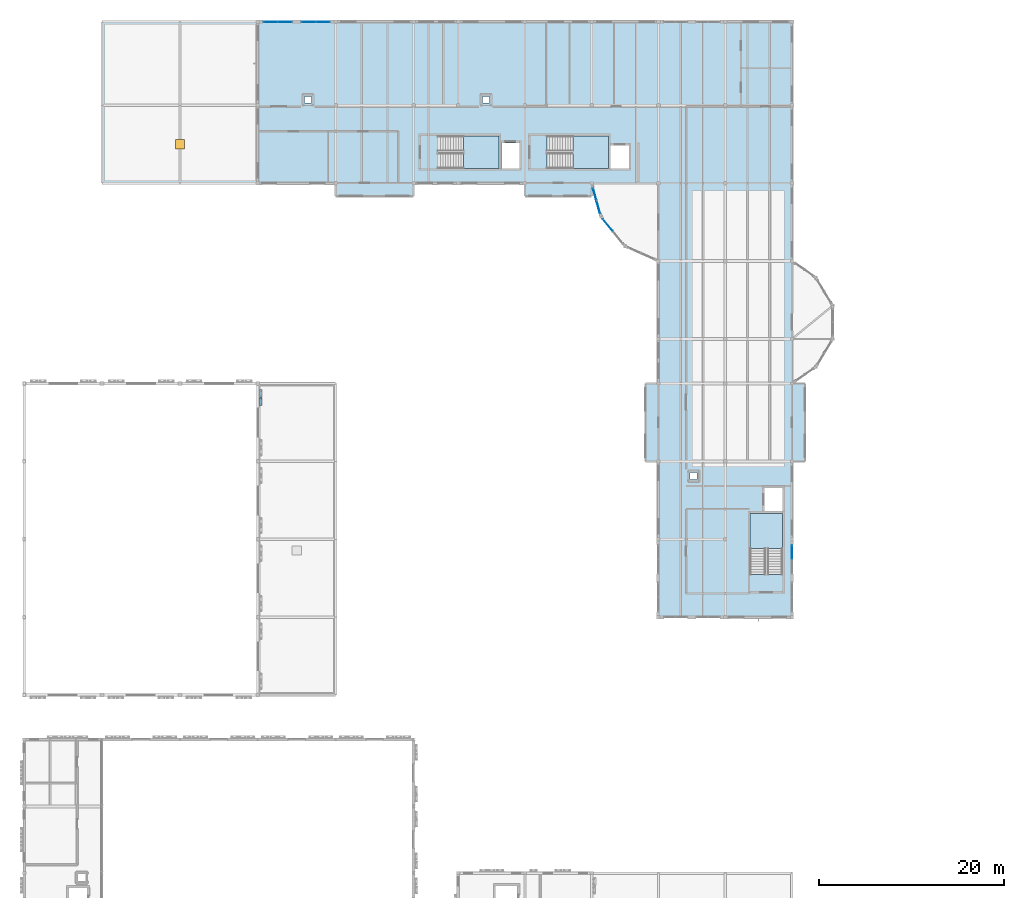
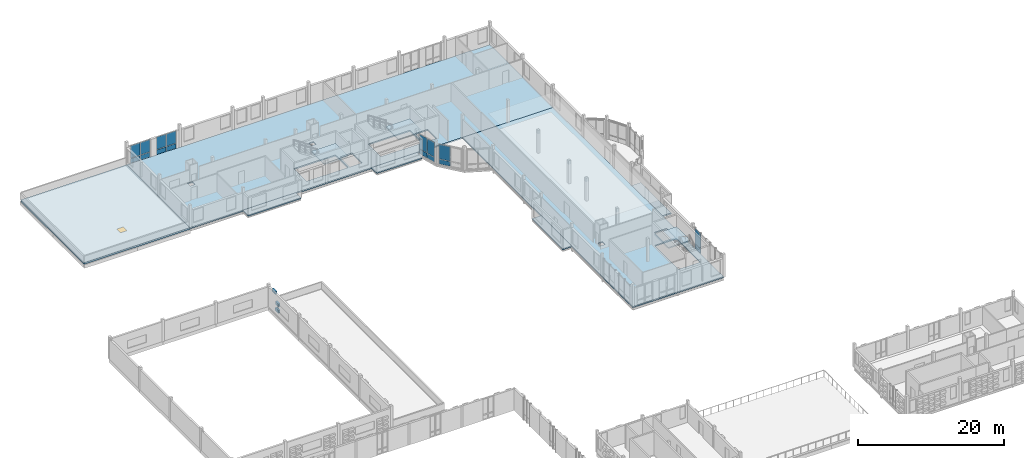
# One storey, part 25 of 57: 19 plates, 10 slabs, 1 door, 1 opening, 8 elements without a shape of their own.
"""IFC4 building model written with IfcOpenShell, lengths in metres."""

from ifc_helpers import new_model, si_unit, direction, frame, origin, origin_2d, place, context, subcontext, project, spatial, polyline, rectangle, outline, extrude, material, layer, layer_set, type_object, element, fill, aggregate, save


model = new_model("IFC4")

# Units and contexts
model_context = context("Model", 3, precision=1e-05, world=origin(), true_north=direction((0.0, 1.0)))
body_context = subcontext(model_context, "Body", "Model", "MODEL_VIEW")
ifc_project = project(units=[si_unit("LENGTHUNIT", "METRE"), si_unit("AREAUNIT", "SQUARE_METRE"), si_unit("VOLUMEUNIT", "CUBIC_METRE"), si_unit("PLANEANGLEUNIT", "RADIAN"), si_unit("MASSUNIT", "GRAM", prefix="KILO")], contexts=[model_context])

# Site, building, storey
site_placement = place(None, origin())
site = spatial("IfcSite", under=ifc_project, at=site_placement, CompositionType="ELEMENT")
building_placement = place(site_placement, origin())
building = spatial("IfcBuilding", under=site, at=building_placement, Name="Kahlenmark Community Centre", CompositionType="ELEMENT")
storey_placement = place(building_placement, frame((0.0, 0.0, 13.800048828125)))
storey = spatial("IfcBuildingStorey", under=building, at=storey_placement, Name="L03", CompositionType="ELEMENT", Elevation=13.800048828125)

# Curtain wall, plates
ifc_material_1 = material(Name="Anodised aluminium unitised curtain wall", Category="aluminium")
curtain_wall_type_1 = type_object("IfcCurtainWallType", Name="CWT-UNIT-290X337", PredefinedType="USERDEFINED", material=ifc_material_1)
curtain_wall_1_placement = place(storey_placement, origin())
curtain_wall_1 = element("IfcCurtainWall", 1, at=curtain_wall_1_placement, inside=storey, type_object=curtain_wall_type_1, Name="Unitised curtain wall CW-182", ObjectType="UNITISED CURTAIN WALL", PredefinedType="USERDEFINED")
ifc_material_2 = material(Name="Triple low-e solar-control glass unit", Category="glass")
ifc_layer_1 = layer(ifc_material_2, 0.0439453125)
ifc_layer_set_1 = layer_set([ifc_layer_1], Name="Triple low-e solar-control glass unit")
plate_type_1 = type_object("IfcPlateType", Name="PLT-CW-GLZ-1368X2440", PredefinedType="CURTAIN_PANEL", material=ifc_layer_set_1)
plate_1_placement = place(storey_placement, frame((65.527587890625, 96.420654296875, 0.889892578125), z_axis=(0.0, 0.0, 1.0), x_axis=(0.26765376878, -0.963515158188, 0.0)))
plate_1 = element("IfcPlate", 2, at=plate_1_placement, type_object=plate_type_1, Name="CW-182 glazed panel 1", PredefinedType="CURTAIN_PANEL", context=body_context, shape_type="SweptSolid", body=[
    extrude(rectangle(XDim=1.3681640625, YDim=0.0439453125, at=origin_2d()), origin(), (0.0, 0.0, 1.0), 2.43994140625),
])
plate_2_placement = place(storey_placement, frame((65.915283203125, 95.025146484375, 0.889892578125), z_axis=(0.0, 0.0, 1.0), x_axis=(0.26765376878, -0.963515158188, 0.0)))
plate_2 = element("IfcPlate", 3, at=plate_2_placement, type_object=plate_type_1, Name="CW-182 glazed panel 2", PredefinedType="CURTAIN_PANEL", context=body_context, shape_type="SweptSolid", body=[
    extrude(rectangle(XDim=1.3681640625, YDim=0.0439453125, at=origin_2d()), origin(), (0.0, 0.0, 1.0), 2.43994140625),
])

curtain_wall_type_2 = type_object("IfcCurtainWallType", Name="CWT-UNIT-314X301", PredefinedType="USERDEFINED", material=ifc_material_1)
curtain_wall_2_placement = place(storey_placement, origin())
curtain_wall_2 = element("IfcCurtainWall", 4, at=curtain_wall_2_placement, inside=storey, type_object=curtain_wall_type_2, Name="Unitised curtain wall CW-119", ObjectType="UNITISED CURTAIN WALL", PredefinedType="USERDEFINED")
ifc_layer_2 = layer(ifc_material_2, 0.0439453125)
ifc_layer_set_2 = layer_set([ifc_layer_2], Name="Triple low-e solar-control glass unit")
plate_type_2 = type_object("IfcPlateType", Name="PLT-CW-GLZ-1490X2080", PredefinedType="CURTAIN_PANEL", material=ifc_layer_set_2)
plate_3_placement = place(storey_placement, frame((36.235107421875, 115.0, 0.889892578125), z_axis=(0.0, 0.0, 1.0), x_axis=(-1.0, 0.0, 0.0)))
plate_3 = element("IfcPlate", 5, at=plate_3_placement, type_object=plate_type_2, Name="CW-119 glazed panel 1", PredefinedType="CURTAIN_PANEL", context=body_context, shape_type="SweptSolid", body=[
    extrude(rectangle(XDim=1.489990234375, YDim=0.0439453125, at=origin_2d()), origin(), (0.0, 0.0, 1.0), 2.080078125),
])
plate_4_placement = place(storey_placement, frame((34.6650390625, 115.0, 0.889892578125), z_axis=(0.0, 0.0, 1.0), x_axis=(-1.0, 0.0, 0.0)))
plate_4 = element("IfcPlate", 6, at=plate_4_placement, type_object=plate_type_2, Name="CW-119 glazed panel 2", PredefinedType="CURTAIN_PANEL", context=body_context, shape_type="SweptSolid", body=[
    extrude(rectangle(XDim=1.489990234375, YDim=0.0439453125, at=origin_2d()), origin(), (0.0, 0.0, 1.0), 2.080078125),
])

curtain_wall_3_placement = place(storey_placement, origin())
curtain_wall_3 = element("IfcCurtainWall", 7, at=curtain_wall_3_placement, inside=storey, type_object=curtain_wall_type_2, Name="Unitised curtain wall CW-120", ObjectType="UNITISED CURTAIN WALL", PredefinedType="USERDEFINED")
plate_5_placement = place(storey_placement, frame((32.135009765625, 115.0, 0.889892578125), z_axis=(0.0, 0.0, 1.0), x_axis=(-1.0, 0.0, 0.0)))
plate_5 = element("IfcPlate", 8, at=plate_5_placement, type_object=plate_type_2, Name="CW-120 glazed panel 1", PredefinedType="CURTAIN_PANEL", context=body_context, shape_type="SweptSolid", body=[
    extrude(rectangle(XDim=1.489990234375, YDim=0.0439453125, at=origin_2d()), origin(), (0.0, 0.0, 1.0), 2.080078125),
])
plate_6_placement = place(storey_placement, frame((30.56494140625, 115.0, 0.889892578125), z_axis=(0.0, 0.0, 1.0), x_axis=(-1.0, 0.0, 0.0)))
plate_6 = element("IfcPlate", 9, at=plate_6_placement, type_object=plate_type_2, Name="CW-120 glazed panel 2", PredefinedType="CURTAIN_PANEL", context=body_context, shape_type="SweptSolid", body=[
    extrude(rectangle(XDim=1.489990234375, YDim=0.0439453125, at=origin_2d()), origin(), (0.0, 0.0, 1.0), 2.080078125),
])

# Curtain wall, plate
curtain_wall_type_3 = type_object("IfcCurtainWallType", Name="CWT-UNIT-314X339", PredefinedType="USERDEFINED", material=ifc_material_1)
curtain_wall_4_placement = place(storey_placement, origin())
curtain_wall_4 = element("IfcCurtainWall", 10, at=curtain_wall_4_placement, inside=storey, type_object=curtain_wall_type_3, Name="Unitised curtain wall CW-128", ObjectType="UNITISED CURTAIN WALL", PredefinedType="USERDEFINED")
ifc_layer_3 = layer(ifc_material_2, 0.0439453125)
ifc_layer_set_3 = layer_set([ifc_layer_3], Name="Triple low-e solar-control glass unit")
plate_type_3 = type_object("IfcPlateType", Name="PLT-CW-GLZ-1490X2460", PredefinedType="CURTAIN_PANEL", material=ifc_layer_set_3)
plate_7_placement = place(storey_placement, frame((86.800048828125, 57.8349609375, 0.889892578125), z_axis=(0.0, 0.0, 1.0), x_axis=(0.0, 1.0, 0.0)))
plate_7 = element("IfcPlate", 11, at=plate_7_placement, type_object=plate_type_3, Name="CW-128 glazed panel 2", PredefinedType="CURTAIN_PANEL", context=body_context, shape_type="SweptSolid", body=[
    extrude(rectangle(XDim=1.489990234375, YDim=0.0439453125, at=origin_2d()), origin(), (0.0, 0.0, 1.0), 2.4599609375),
])

curtain_wall_type_4 = type_object("IfcCurtainWallType", Name="CWT-UNIT-344X337", PredefinedType="USERDEFINED", material=ifc_material_1)
curtain_wall_5_placement = place(storey_placement, origin())
curtain_wall_5 = element("IfcCurtainWall", 12, at=curtain_wall_5_placement, inside=storey, type_object=curtain_wall_type_4, Name="Unitised curtain wall CW-183", ObjectType="UNITISED CURTAIN WALL", PredefinedType="USERDEFINED")
ifc_layer_4 = layer(ifc_material_2, 0.0439453125)
ifc_layer_set_4 = layer_set([ifc_layer_4], Name="Triple low-e solar-control glass unit")
plate_type_4 = type_object("IfcPlateType", Name="PLT-CW-GLZ-1642X2440", PredefinedType="CURTAIN_PANEL", material=ifc_layer_set_4)
plate_8_placement = place(storey_placement, frame((66.957275390625, 93.068115234375, 0.889892578125), z_axis=(0.0, 0.0, 1.0), x_axis=(0.63059860029, -0.776109145231, 0.0)))
plate_8 = element("IfcPlate", 13, at=plate_8_placement, type_object=plate_type_4, Name="CW-183 glazed panel 1", PredefinedType="CURTAIN_PANEL", context=body_context, shape_type="SweptSolid", body=[
    extrude(rectangle(XDim=1.6416015625, YDim=0.0439453125, at=origin_2d()), origin(), (0.0, 0.0, 1.0), 2.43994140625),
])

# Plate
ifc_material_3 = material(Name="Warm terracotta insulated spandrel cassette", Category="masonry")
ifc_layer_5 = layer(ifc_material_3, 0.06005859375)
ifc_layer_set_5 = layer_set([ifc_layer_5], Name="Warm terracotta insulated spandrel cassette")
plate_type_5 = type_object("IfcPlateType", Name="PLT-CW-SPD-1368X770", PredefinedType="CURTAIN_PANEL", material=ifc_layer_set_5)
plate_9_placement = place(storey_placement, frame((65.527587890625, 96.420654296875, 0.0400390625), z_axis=(0.0, 0.0, 1.0), x_axis=(0.26765376878, -0.963515158188, 0.0)))
plate_9 = element("IfcPlate", 14, at=plate_9_placement, type_object=plate_type_5, Name="CW-182 spandrel 1", PredefinedType="CURTAIN_PANEL", context=body_context, shape_type="SweptSolid", body=[
    extrude(rectangle(XDim=1.3681640625, YDim=0.06005859375, at=origin_2d()), origin(), (0.0, 0.0, 1.0), 0.77001953125),
])

plate_10_placement = place(storey_placement, frame((65.915283203125, 95.025146484375, 0.0400390625), z_axis=(0.0, 0.0, 1.0), x_axis=(0.26765376878, -0.963515158188, 0.0)))
plate_10 = element("IfcPlate", 15, at=plate_10_placement, type_object=plate_type_5, Name="CW-182 spandrel 2", PredefinedType="CURTAIN_PANEL", context=body_context, shape_type="SweptSolid", body=[
    extrude(rectangle(XDim=1.3681640625, YDim=0.06005859375, at=origin_2d()), origin(), (0.0, 0.0, 1.0), 0.77001953125),
])

aggregate(curtain_wall_1, [plate_9, plate_1, plate_10, plate_2])

ifc_layer_6 = layer(ifc_material_3, 0.06005859375)
ifc_layer_set_6 = layer_set([ifc_layer_6], Name="Warm terracotta insulated spandrel cassette")
plate_type_6 = type_object("IfcPlateType", Name="PLT-CW-SPD-1490X770", PredefinedType="CURTAIN_PANEL", material=ifc_layer_set_6)
plate_11_placement = place(storey_placement, frame((36.235107421875, 115.0, 0.0400390625), z_axis=(0.0, 0.0, 1.0), x_axis=(-1.0, 0.0, 0.0)))
plate_11 = element("IfcPlate", 16, at=plate_11_placement, type_object=plate_type_6, Name="CW-119 spandrel 1", PredefinedType="CURTAIN_PANEL", context=body_context, shape_type="SweptSolid", body=[
    extrude(rectangle(XDim=1.489990234375, YDim=0.06005859375, at=origin_2d()), origin(), (0.0, 0.0, 1.0), 0.77001953125),
])

plate_12_placement = place(storey_placement, frame((34.6650390625, 115.0, 0.0400390625), z_axis=(0.0, 0.0, 1.0), x_axis=(-1.0, 0.0, 0.0)))
plate_12 = element("IfcPlate", 17, at=plate_12_placement, type_object=plate_type_6, Name="CW-119 spandrel 2", PredefinedType="CURTAIN_PANEL", context=body_context, shape_type="SweptSolid", body=[
    extrude(rectangle(XDim=1.489990234375, YDim=0.06005859375, at=origin_2d()), origin(), (0.0, 0.0, 1.0), 0.77001953125),
])

aggregate(curtain_wall_2, [plate_11, plate_3, plate_12, plate_4])

plate_13_placement = place(storey_placement, frame((32.135009765625, 115.0, 0.0400390625), z_axis=(0.0, 0.0, 1.0), x_axis=(-1.0, 0.0, 0.0)))
plate_13 = element("IfcPlate", 18, at=plate_13_placement, type_object=plate_type_6, Name="CW-120 spandrel 1", PredefinedType="CURTAIN_PANEL", context=body_context, shape_type="SweptSolid", body=[
    extrude(rectangle(XDim=1.489990234375, YDim=0.06005859375, at=origin_2d()), origin(), (0.0, 0.0, 1.0), 0.77001953125),
])

plate_14_placement = place(storey_placement, frame((30.56494140625, 115.0, 0.0400390625), z_axis=(0.0, 0.0, 1.0), x_axis=(-1.0, 0.0, 0.0)))
plate_14 = element("IfcPlate", 19, at=plate_14_placement, type_object=plate_type_6, Name="CW-120 spandrel 2", PredefinedType="CURTAIN_PANEL", context=body_context, shape_type="SweptSolid", body=[
    extrude(rectangle(XDim=1.489990234375, YDim=0.06005859375, at=origin_2d()), origin(), (0.0, 0.0, 1.0), 0.77001953125),
])

aggregate(curtain_wall_3, [plate_13, plate_5, plate_14, plate_6])

plate_15_placement = place(storey_placement, frame((86.800048828125, 57.8349609375, 0.0400390625), z_axis=(0.0, 0.0, 1.0), x_axis=(0.0, 1.0, 0.0)))
plate_15 = element("IfcPlate", 20, at=plate_15_placement, type_object=plate_type_6, Name="CW-128 spandrel 2", PredefinedType="CURTAIN_PANEL", context=body_context, shape_type="SweptSolid", body=[
    extrude(rectangle(XDim=1.489990234375, YDim=0.06005859375, at=origin_2d()), origin(), (0.0, 0.0, 1.0), 0.77001953125),
])

aggregate(curtain_wall_4, [plate_15, plate_7])

ifc_layer_7 = layer(ifc_material_3, 0.06005859375)
ifc_layer_set_7 = layer_set([ifc_layer_7], Name="Warm terracotta insulated spandrel cassette")
plate_type_7 = type_object("IfcPlateType", Name="PLT-CW-SPD-1642X770", PredefinedType="CURTAIN_PANEL", material=ifc_layer_set_7)
plate_16_placement = place(storey_placement, frame((66.957275390625, 93.068115234375, 0.0400390625), z_axis=(0.0, 0.0, 1.0), x_axis=(0.63059860029, -0.776109145231, 0.0)))
plate_16 = element("IfcPlate", 21, at=plate_16_placement, type_object=plate_type_7, Name="CW-183 spandrel 1", PredefinedType="CURTAIN_PANEL", context=body_context, shape_type="SweptSolid", body=[
    extrude(rectangle(XDim=1.6416015625, YDim=0.06005859375, at=origin_2d()), origin(), (0.0, 0.0, 1.0), 0.77001953125),
])

aggregate(curtain_wall_5, [plate_16, plate_8])

# Plates
ifc_material_4 = material(Name="Extruded glazed terracotta weave cassette", Category="masonry")
ifc_layer_8 = layer(ifc_material_4, 0.300048828125)
ifc_layer_set_8 = layer_set([ifc_layer_8], Name="Extruded glazed terracotta weave cassette")
plate_type_8 = type_object("IfcPlateType", Name="PLT-TC-TC-R34-840X300X487", PredefinedType="SHEET", material=ifc_layer_set_8)
plate_17_placement = place(storey_placement, frame((29.5, 74.030029296875, 1.15380859375), z_axis=(0.0, 0.0, 1.0), x_axis=(0.0, 1.0, 0.0)))
element("IfcPlate", 22, at=plate_17_placement, inside=storey, type_object=plate_type_8, Name="Basketweave terracotta cassette 4186", PredefinedType="SHEET", context=body_context, shape_type="SweptSolid", body=[
    extrude(rectangle(XDim=0.840087890625, YDim=0.300048828125, at=origin_2d()), origin(), (0.0, 0.0, 1.0), 0.487060546875),
])
ifc_layer_9 = layer(ifc_material_4, 0.300048828125)
ifc_layer_set_9 = layer_set([ifc_layer_9], Name="Extruded glazed terracotta weave cassette")
plate_type_9 = type_object("IfcPlateType", Name="PLT-TC-TC-R34-860X300X487", PredefinedType="SHEET", material=ifc_layer_set_9)
plate_18_placement = place(storey_placement, frame((29.5, 74.030029296875, 0.10009765625), z_axis=(0.0, 0.0, 1.0), x_axis=(0.0, 1.0, 0.0)))
element("IfcPlate", 23, at=plate_18_placement, inside=storey, type_object=plate_type_9, Name="Basketweave terracotta cassette 4184", PredefinedType="SHEET", context=body_context, shape_type="SweptSolid", body=[
    extrude(rectangle(XDim=0.860107421875, YDim=0.300048828125, at=origin_2d()), origin(), (0.0, 0.0, 1.0), 0.487060546875),
])
ifc_layer_10 = layer(ifc_material_4, 0.280029296875)
ifc_layer_set_10 = layer_set([ifc_layer_10], Name="Extruded glazed terracotta weave cassette")
plate_type_10 = type_object("IfcPlateType", Name="PLT-TC-TC-W30-860X280X487", PredefinedType="SHEET", material=ifc_layer_set_10)
plate_19_placement = place(storey_placement, frame((29.489990234375, 74.929931640625, 2.73486328125), z_axis=(0.0, 0.0, 1.0), x_axis=(0.0, 1.0, 0.0)))
element("IfcPlate", 24, at=plate_19_placement, inside=storey, type_object=plate_type_10, Name="Basketweave terracotta cassette 4195", PredefinedType="SHEET", context=body_context, shape_type="SweptSolid", body=[
    extrude(rectangle(XDim=0.860107421875, YDim=0.280029296875, at=origin_2d()), origin(), (0.0, 0.0, 1.0), 0.487060546875),
])

# Stair, slab
ifc_material_5 = material(Name="Concrete C35/45", Category="concrete")
stair_type_1 = type_object("IfcStairType", Name="STT-CORE-ST-04-177", PredefinedType="HALF_TURN_STAIR", material=ifc_material_5)
stair_1_placement = place(storey_placement, origin())
stair_1 = element("IfcStair", 25, at=stair_1_placement, inside=storey, type_object=stair_type_1, Name="L03 Core K4 Escape Stair ST-04", PredefinedType="HALF_TURN_STAIR")
ifc_layer_11 = layer(ifc_material_5, 0.199951171875)
ifc_layer_set_11 = layer_set([ifc_layer_11], Name="Concrete C35/45")
slab_type_1 = type_object("IfcSlabType", Name="SLT-CORE-200", PredefinedType="LANDING", material=ifc_layer_set_11)
slab_1_placement = place(storey_placement, frame((0.0, 0.0, 1.75)))
slab_1 = element("IfcSlab", 26, at=slab_1_placement, type_object=slab_type_1, Name="ST-04 landing 1", PredefinedType="LANDING", context=body_context, shape_type="SweptSolid", body=[
    extrude(outline(polyline([(51.39990234375, 99.199951171875), (55.199951171875, 99.199951171875), (55.199951171875, 102.699951171875), (51.39990234375, 102.699951171875), (51.39990234375, 99.199951171875)])), origin(), (0.0, 0.0, 1.0), 0.199951171875),
])
aggregate(stair_1, [slab_1])

stair_type_2 = type_object("IfcStairType", Name="STT-CORE-ST-05-177", PredefinedType="HALF_TURN_STAIR", material=ifc_material_5)
stair_2_placement = place(storey_placement, origin())
stair_2 = element("IfcStair", 27, at=stair_2_placement, inside=storey, type_object=stair_type_2, Name="L03 Core K5 Escape Stair ST-05", PredefinedType="HALF_TURN_STAIR")
slab_2_placement = place(storey_placement, frame((0.0, 0.0, 1.75)))
slab_2 = element("IfcSlab", 28, at=slab_2_placement, type_object=slab_type_1, Name="ST-05 landing 1", PredefinedType="LANDING", context=body_context, shape_type="SweptSolid", body=[
    extrude(outline(polyline([(63.199951171875, 99.199951171875), (67.0, 99.199951171875), (67.0, 102.699951171875), (63.199951171875, 102.699951171875), (63.199951171875, 99.199951171875)])), origin(), (0.0, 0.0, 1.0), 0.199951171875),
])
aggregate(stair_2, [slab_2])

stair_type_3 = type_object("IfcStairType", Name="STT-CORE-ST-06-177", PredefinedType="HALF_TURN_STAIR", material=ifc_material_5)
stair_3_placement = place(storey_placement, origin())
stair_3 = element("IfcStair", 29, at=stair_3_placement, inside=storey, type_object=stair_type_3, Name="L03 Core K6 Escape Stair ST-06", PredefinedType="HALF_TURN_STAIR")
slab_3_placement = place(storey_placement, frame((0.0, 0.0, 1.75)))
slab_3 = element("IfcSlab", 30, at=slab_3_placement, type_object=slab_type_1, Name="ST-06 landing 1", PredefinedType="LANDING", context=body_context, shape_type="SweptSolid", body=[
    extrude(outline(polyline([(85.800048828125, 58.199951171875), (85.800048828125, 62.0), (82.300048828125, 62.0), (82.300048828125, 58.199951171875), (85.800048828125, 58.199951171875)])), origin(), (0.0, 0.0, 1.0), 0.199951171875),
])
aggregate(stair_3, [slab_3])

# Slabs
ifc_material_6 = material(Name="Cross-laminated timber CLT C24", Category="wood")
ifc_layer_12 = layer(ifc_material_6, 0.199951171875)
ifc_layer_set_12 = layer_set([ifc_layer_12], Name="Cross-laminated timber CLT C24")
slab_type_2 = type_object("IfcSlabType", Name="ST-FL-CLT200", PredefinedType="FLOOR", material=ifc_layer_set_12)
slab_4_placement = place(storey_placement, frame((0.0, 0.0, -0.199951171875)))
element("IfcSlab", 31, at=slab_4_placement, inside=storey, type_object=slab_type_2, Name="L03 suspended floor slab V4C", PredefinedType="FLOOR", context=body_context, shape_type="SweptSolid", body=[
    extrude(outline(polyline([(72.39990234375, 50.800048828125), (86.800048828125, 50.800048828125), (86.800048828125, 97.60009765625), (72.39990234375, 97.60009765625), (72.39990234375, 50.800048828125)]), holes=[polyline([(82.305908203125, 55.406005859375), (85.7939453125, 55.406005859375), (85.7939453125, 61.993896484375), (82.305908203125, 61.993896484375), (82.305908203125, 55.406005859375)]), polyline([(83.845947265625, 62.256103515625), (85.7939453125, 62.256103515625), (85.7939453125, 64.7041015625), (83.845947265625, 64.7041015625), (83.845947265625, 62.256103515625)]), polyline([(75.825927734375, 65.6259765625), (76.573974609375, 65.6259765625), (76.573974609375, 66.3740234375), (75.825927734375, 66.3740234375), (75.825927734375, 65.6259765625)])]), origin(), (0.0, 0.0, 1.0), 0.199951171875),
])
slab_5_placement = place(storey_placement, frame((0.0, 0.0, -0.199951171875)))
element("IfcSlab", 32, at=slab_5_placement, inside=storey, type_object=slab_type_2, Name="L03 reading-room bay oriel ORI-E1", PredefinedType="FLOOR", context=body_context, shape_type="SweptSolid", body=[
    extrude(outline(polyline([(86.800048828125, 67.60009765625), (88.199951171875, 67.60009765625), (88.199951171875, 76.0), (86.800048828125, 76.0), (86.800048828125, 67.60009765625)])), origin(), (0.0, 0.0, 1.0), 0.199951171875),
])
slab_6_placement = place(storey_placement, frame((0.0, 0.0, -0.199951171875)))
element("IfcSlab", 33, at=slab_6_placement, inside=storey, type_object=slab_type_2, Name="L03 reading-room bay oriel ORI-S1", PredefinedType="FLOOR", context=body_context, shape_type="SweptSolid", body=[
    extrude(outline(polyline([(37.60009765625, 96.199951171875), (46.0, 96.199951171875), (46.0, 97.60009765625), (37.60009765625, 97.60009765625), (37.60009765625, 96.199951171875)])), origin(), (0.0, 0.0, 1.0), 0.199951171875),
])
slab_7_placement = place(storey_placement, frame((0.0, 0.0, -0.199951171875)))
element("IfcSlab", 34, at=slab_7_placement, inside=storey, type_object=slab_type_2, Name="L03 reading-room bay oriel ORI-S2", PredefinedType="FLOOR", context=body_context, shape_type="SweptSolid", body=[
    extrude(outline(polyline([(58.0, 96.199951171875), (65.199951171875, 96.199951171875), (65.199951171875, 97.60009765625), (58.0, 97.60009765625), (58.0, 96.199951171875)])), origin(), (0.0, 0.0, 1.0), 0.199951171875),
])
slab_8_placement = place(storey_placement, frame((0.0, 0.0, -0.199951171875)))
element("IfcSlab", 35, at=slab_8_placement, inside=storey, type_object=slab_type_2, Name="L03 reading-room bay oriel ORI-W1", PredefinedType="FLOOR", context=body_context, shape_type="SweptSolid", body=[
    extrude(outline(polyline([(71.0, 67.60009765625), (72.39990234375, 67.60009765625), (72.39990234375, 76.0), (71.0, 76.0), (71.0, 67.60009765625)])), origin(), (0.0, 0.0, 1.0), 0.199951171875),
])
ifc_layer_13 = layer(ifc_material_6, 0.219970703125)
ifc_layer_set_13 = layer_set([ifc_layer_13], Name="Cross-laminated timber CLT C24")
slab_type_3 = type_object("IfcSlabType", Name="ST-FL-CLT220", PredefinedType="FLOOR", material=ifc_layer_set_13)
slab_9_placement = place(storey_placement, frame((0.0, 0.0, -0.219970703125)))
element("IfcSlab", 36, at=slab_9_placement, inside=storey, type_object=slab_type_3, Name="L03 suspended floor slab V4N", PredefinedType="FLOOR", context=body_context, shape_type="SweptSolid", body=[
    extrude(outline(polyline([(29.199951171875, 97.60009765625), (86.800048828125, 97.60009765625), (86.800048828125, 115.0), (29.199951171875, 115.0), (29.199951171875, 97.60009765625)]), holes=[polyline([(48.60595703125, 99.2060546875), (55.194091796875, 99.2060546875), (55.194091796875, 102.694091796875), (48.60595703125, 102.694091796875), (48.60595703125, 99.2060546875)]), polyline([(60.406005859375, 99.2060546875), (66.993896484375, 99.2060546875), (66.993896484375, 102.694091796875), (60.406005859375, 102.694091796875), (60.406005859375, 99.2060546875)]), polyline([(55.4560546875, 99.2060546875), (57.404052734375, 99.2060546875), (57.404052734375, 101.9541015625), (55.4560546875, 101.9541015625), (55.4560546875, 99.2060546875)]), polyline([(67.256103515625, 99.2060546875), (69.2041015625, 99.2060546875), (69.2041015625, 101.654052734375), (67.256103515625, 101.654052734375), (67.256103515625, 99.2060546875)]), polyline([(34.22607421875, 106.22607421875), (34.97412109375, 106.22607421875), (34.97412109375, 106.97412109375), (34.22607421875, 106.97412109375), (34.22607421875, 106.22607421875)]), polyline([(53.426025390625, 106.22607421875), (54.174072265625, 106.22607421875), (54.174072265625, 106.97412109375), (53.426025390625, 106.97412109375), (53.426025390625, 106.22607421875)])]), origin(), (0.0, 0.0, 1.0), 0.219970703125),
])

# Slab, opening, door
ifc_layer_14 = layer(ifc_material_6, 0.280029296875)
ifc_layer_set_14 = layer_set([ifc_layer_14], Name="Cross-laminated timber CLT C24")
slab_type_4 = type_object("IfcSlabType", Name="ST-RF-FLAT280", PredefinedType="ROOF", material=ifc_layer_set_14)
slab_10_placement = place(storey_placement, frame((0.0, 0.0, -0.280029296875)))
slab_10 = element("IfcSlab", 37, at=slab_10_placement, inside=storey, type_object=slab_type_4, Name="Flat insulated roof deck RF-L03-V4NWEST", PredefinedType="ROOF", context=body_context, shape_type="SweptSolid", body=[
    extrude(outline(polyline([(12.39990234375, 97.60009765625), (29.199951171875, 97.60009765625), (29.199951171875, 115.0), (12.39990234375, 115.0), (12.39990234375, 97.60009765625)])), origin(), (0.0, 0.0, 1.0), 0.280029296875),
])
opening_placement = place(slab_10_placement, frame((20.800048828125, 101.800048828125, -0.010009765625)))
opening = element("IfcOpeningElement", 38, at=opening_placement, cuts=slab_10, Name="Opening RH-100", PredefinedType="OPENING", context=body_context, shape_type="SweptSolid", body=[
    extrude(rectangle(XDim=1.0, YDim=1.0, at=origin_2d()), origin(), (0.0, 0.0, 1.0), 0.300048828125),
])
ifc_material_7 = material(Name="Insulated aluminium roof maintenance hatch", Category="aluminium")
door_type = type_object("IfcDoorType", Name="DT-HATCH-100X100", OperationType="NOTDEFINED", PredefinedType="TRAPDOOR", material=ifc_material_7)
door_placement = place(slab_10_placement, frame((20.800048828125, 101.800048828125, 0.22998046875)))
door = element("IfcDoor", 39, at=door_placement, inside=storey, type_object=door_type, Name="Roof maintenance hatch RH-02", OperationType="SINGLE_SWING_LEFT", OverallHeight=1.0, OverallWidth=1.0, PredefinedType="TRAPDOOR", context=body_context, shape_type="SweptSolid", body=[
    extrude(rectangle(XDim=1.0, YDim=1.0, at=origin_2d()), origin(), (0.0, 0.0, 1.0), 0.050048828125),
])
fill(opening, door)

save(model, "model.ifc")
